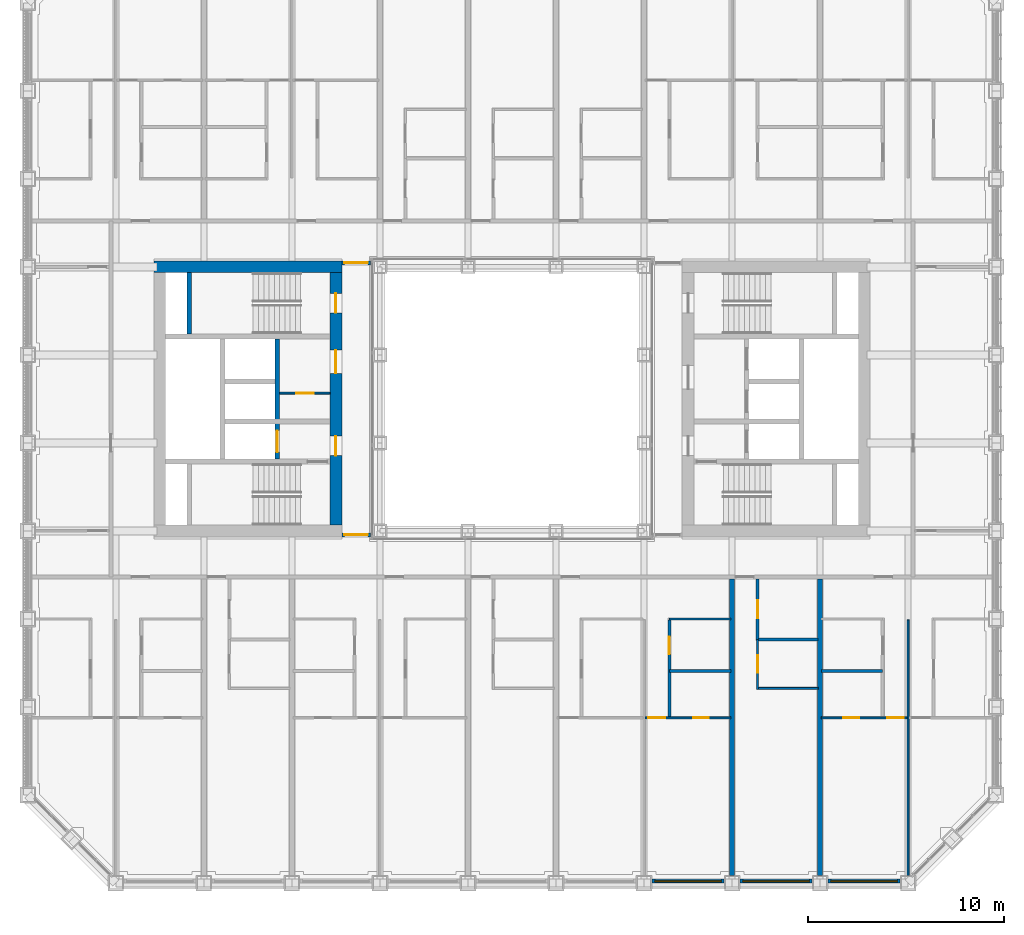
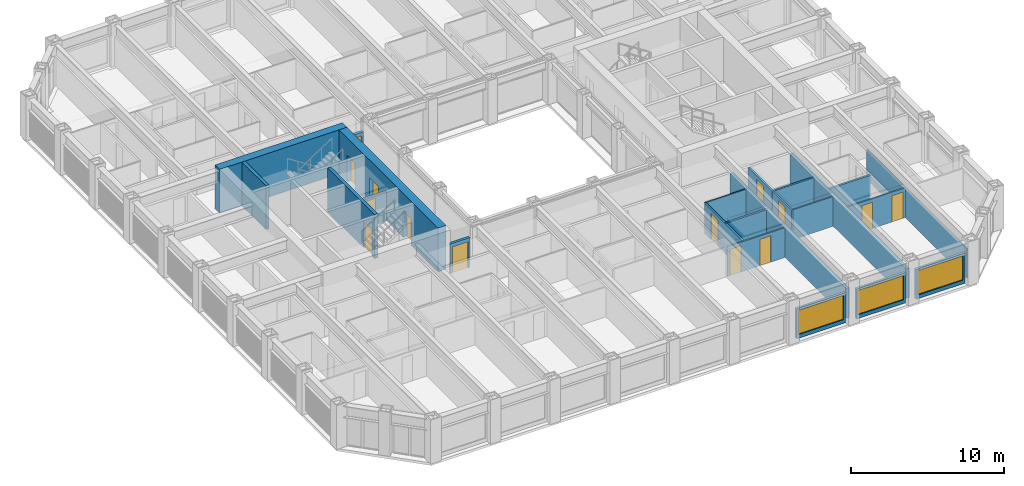
# One storey, part 11 of 21: 23 walls, 14 doors, 3 windows, 17 openings.
"""IFC4 building model written with IfcOpenShell, lengths in metres."""

import ifcopenshell
import ifcopenshell.guid

model = None  # the IFC model being written
_history = None  # IfcOwnerHistory: only IFC2X3 demands one
_inside = {}  # id of a spatial element -> (the spatial element, [elements in it])
_under = {}  # id of a project, library or spatial element -> (it, [spatial elements below it])
_declared = {}  # id of a project -> (the project, [libraries it declares])
_typed = {}  # id of a type object -> (the type object, [elements of that type])
_made_of = {}  # id of a material, layer set ... -> (it, [elements and type objects made of it])


def new_model(schema):
    """Start an empty IFC model of exactly this schema.

    Asked for "IFC4X3", IfcOpenShell would pick the latest addendum, in which some entities
    have other attributes; the version numbers below select the first issue.
    IFC2X3 requires an IfcOwnerHistory on every rooted entity: one is made here for all.
    """
    global model, _history
    if schema == "IFC4X3":
        model = ifcopenshell.file(schema_version=(4, 3, 0, 0))
    else:
        model = ifcopenshell.file(schema=schema)
    _inside.clear()
    _under.clear()
    _declared.clear()
    _typed.clear()
    _made_of.clear()
    _history = None
    if model.schema == "IFC2X3":
        org = make("IfcOrganization", Name="unknown")
        user = make(
            "IfcPersonAndOrganization",
            ThePerson=make("IfcPerson", FamilyName="unknown"),
            TheOrganization=org,
        )
        app = make(
            "IfcApplication",
            ApplicationDeveloper=org,
            Version="unknown",
            ApplicationFullName="unknown",
            ApplicationIdentifier="unknown",
        )
        _history = make(
            "IfcOwnerHistory",
            OwningUser=user,
            OwningApplication=app,
            ChangeAction="ADDED",
            CreationDate=0,
        )
    return model


def make(cls, **values):
    """One entity of the class cls with the attributes given. An attribute that is None is left unset."""
    return model.create_entity(
        cls, **{name: value for name, value in values.items() if value is not None}
    )


def rooted(cls, **values):
    """An entity with a GlobalId (a new one), such as an element, a storey or a relation."""
    return make(cls, GlobalId=ifcopenshell.guid.new(), OwnerHistory=_history, **values)


def si_unit(unit_type, name, prefix=None):
    """IfcSIUnit, for example si_unit("LENGTHUNIT", "METRE", prefix="MILLI")."""
    return make("IfcSIUnit", UnitType=unit_type, Prefix=prefix, Name=name)


def assignment(units):
    """IfcUnitAssignment: the units of a project."""
    return None if units is None else make("IfcUnitAssignment", Units=units)


def point(xyz):
    """IfcCartesianPoint."""
    return None if xyz is None else make("IfcCartesianPoint", Coordinates=xyz)


def direction(xyz):
    """IfcDirection."""
    return None if xyz is None else make("IfcDirection", DirectionRatios=xyz)


def frame(location, z_axis=None, x_axis=None):
    """IfcAxis2Placement3D, a coordinate frame: its origin and axes. An axis left out is left unset."""
    return make(
        "IfcAxis2Placement3D",
        Location=point(location),
        Axis=direction(z_axis),
        RefDirection=direction(x_axis),
    )


def frame_2d(location, x_axis=None):
    """IfcAxis2Placement2D, a coordinate frame in the plane: its origin and x axis."""
    return make(
        "IfcAxis2Placement2D", Location=point(location), RefDirection=direction(x_axis)
    )


def origin():
    """The frame at (0, 0, 0) with its axes left unset."""
    return frame((0.0, 0.0, 0.0))


def place(relative_to, where):
    """IfcLocalPlacement: puts the frame where relative to a parent placement (None: the world)."""
    return make(
        "IfcLocalPlacement", PlacementRelTo=relative_to, RelativePlacement=where
    )


def context(
    kind, dimensions, precision=None, world=None, true_north=None, identifier=None
):
    """IfcGeometricRepresentationContext, for example the 3D "Model" context."""
    return make(
        "IfcGeometricRepresentationContext",
        ContextIdentifier=identifier,
        ContextType=kind,
        CoordinateSpaceDimension=dimensions,
        Precision=precision,
        WorldCoordinateSystem=world,
        TrueNorth=true_north,
    )


def subcontext(parent, identifier, kind, view, scale=None):
    """IfcGeometricRepresentationSubContext, for example "Body" below "Model"."""
    return make(
        "IfcGeometricRepresentationSubContext",
        ContextIdentifier=identifier,
        ContextType=kind,
        ParentContext=parent,
        TargetScale=scale,
        TargetView=view,
    )


def project(units=None, contexts=None):
    """IfcProject with its units and contexts."""
    return rooted(
        "IfcProject",
        Name="project",
        RepresentationContexts=contexts,
        UnitsInContext=assignment(units),
    )


def spatial(cls, under=None, at=None, **own):
    """A site, building, storey or space (cls), placed at a placement, below another one or the project."""
    s = rooted(cls, ObjectPlacement=at, **own)
    if under is not None:
        _under.setdefault(under.id(), (under, []))[1].append(s)
    return s


def profile(cls, at=None, kind="AREA", **sizes):
    """A parametric profile (cls). Its sizes go by their IFC names, for example OverallWidth=200.0."""
    return make(cls, ProfileType=kind, Position=at, **sizes)


def rectangle(**sizes):
    """IfcRectangleProfileDef."""
    return profile("IfcRectangleProfileDef", **sizes)


def extrude(swept, where, along, depth):
    """IfcExtrudedAreaSolid: the profile swept, set in the frame where, extruded along a direction by depth."""
    return make(
        "IfcExtrudedAreaSolid",
        SweptArea=swept,
        Position=where,
        ExtrudedDirection=direction(along),
        Depth=depth,
    )


def shape(context_of_items, identifier, shape_type, items):
    """IfcShapeRepresentation: the items that make up one representation, for example the "Body"."""
    return make(
        "IfcShapeRepresentation",
        ContextOfItems=context_of_items,
        RepresentationIdentifier=identifier,
        RepresentationType=shape_type,
        Items=items,
    )


def material(Name=None, Category=None):
    """IfcMaterial."""
    return make("IfcMaterial", Name=Name, Category=Category)


def layer(
    of_material, thickness, ventilated=None, Name=None, Category=None, Priority=None
):
    """IfcMaterialLayer: one layer of a wall or slab, of a material (None: an air gap)."""
    return make(
        "IfcMaterialLayer",
        Material=of_material,
        LayerThickness=thickness,
        IsVentilated=ventilated,
        Name=Name,
        Category=Category,
        Priority=Priority,
    )


def layer_set(layers, Name=None):
    """IfcMaterialLayerSet."""
    return make("IfcMaterialLayerSet", MaterialLayers=layers, LayerSetName=Name)


def made_of(thing, what):
    """Note that an element or type object is made of a material, layer set ...; save() writes the relation."""
    if what is not None:
        _made_of.setdefault(what.id(), (what, []))[1].append(thing)
    return thing


def type_object(cls, material=None, **own):
    """A type object (cls), such as IfcWallType, which elements share."""
    return made_of(rooted(cls, **own), material)


def element(
    cls,
    number,
    at=None,
    inside=None,
    cuts=None,
    type_object=None,
    material=None,
    context=None,
    identifier="Body",
    shape_type=None,
    held_by="IfcProductDefinitionShape",
    body=None,
    shapes=None,
    **own,
):
    """One element of the class cls, such as IfcWall. Its Tag is "e" and its number.

    at: its placement. inside: the storey or other place that contains it. cuts: it is an
    opening in that element (IfcRelVoidsElement). A single representation is given by context,
    identifier, shape_type and body (its items); several are given by shapes. held_by: the class
    of the entity that holds the representations. save() writes the other relations.
    """
    e = rooted(cls, Tag="e%d" % number, ObjectPlacement=at, **own)
    if body is not None:
        shapes = [shape(context, identifier, shape_type, body)]
    if shapes is not None:
        e.Representation = make(held_by, Representations=shapes)
    if inside is not None:
        _inside.setdefault(inside.id(), (inside, []))[1].append(e)
    if cuts is not None:
        rooted(
            "IfcRelVoidsElement", RelatingBuildingElement=cuts, RelatedOpeningElement=e
        )
    if type_object is not None:
        _typed.setdefault(type_object.id(), (type_object, []))[1].append(e)
    return made_of(e, material)


def fill(opening, filler):
    """IfcRelFillsElement: the door or window that sits in an opening."""
    return rooted(
        "IfcRelFillsElement",
        RelatingOpeningElement=opening,
        RelatedBuildingElement=filler,
    )


def aggregate(whole, parts):
    """IfcRelAggregates: a whole, such as a stair, and the parts it consists of."""
    return rooted("IfcRelAggregates", RelatingObject=whole, RelatedObjects=parts)


def save(model, path):
    """Write the relations noted so far, then the file.

    IfcRelAggregates (storeys below a building ...), IfcRelContainedInSpatialStructure (elements
    in a storey), IfcRelDefinesByType, IfcRelAssociatesMaterial and IfcRelDeclares: one each for
    every whole, place, type object, material and project.
    """
    for whole, parts in _under.values():
        aggregate(whole, parts)
    for where, things in _inside.values():
        rooted(
            "IfcRelContainedInSpatialStructure",
            RelatedElements=things,
            RelatingStructure=where,
        )
    for kind, things in _typed.values():
        rooted("IfcRelDefinesByType", RelatedObjects=things, RelatingType=kind)
    for what, things in _made_of.values():
        rooted("IfcRelAssociatesMaterial", RelatedObjects=things, RelatingMaterial=what)
    for by, libraries in _declared.values():
        rooted("IfcRelDeclares", RelatingContext=by, RelatedDefinitions=libraries)
    model.write(path)


model = new_model("IFC4")

# Units and contexts
model_context = context("Model", 3, precision=1e-05, world=origin(), true_north=direction((0.0, 1.0)))
body_context = subcontext(model_context, "Body", "Model", "MODEL_VIEW")
ifc_project = project(units=[si_unit("LENGTHUNIT", "METRE"), si_unit("AREAUNIT", "SQUARE_METRE"), si_unit("VOLUMEUNIT", "CUBIC_METRE"), si_unit("PLANEANGLEUNIT", "RADIAN"), si_unit("MASSUNIT", "GRAM", prefix="KILO")], contexts=[model_context])

# Site, building, storey
site_placement = place(None, origin())
site = spatial("IfcSite", under=ifc_project, at=site_placement, CompositionType="ELEMENT")
building_placement = place(site_placement, origin())
building = spatial("IfcBuilding", under=site, at=building_placement, Name="Msasa Ring Tower", CompositionType="ELEMENT")
storey_placement = place(building_placement, frame((0.0, 0.0, 37.0)))
storey = spatial("IfcBuildingStorey", under=building, at=storey_placement, Name="L08", CompositionType="ELEMENT", Elevation=37.0)

# Wall
ifc_material_1 = material(Name="Concrete C60/75", Category="concrete")
ifc_layer_1 = layer(ifc_material_1, 0.60009765625)
ifc_layer_set_1 = layer_set([ifc_layer_1], Name="CW1 CORE WALL 600")
wall_type_1 = type_object("IfcWallType", Name="CW1 CORE WALL 600", PredefinedType="SHEAR", material=ifc_layer_set_1)
wall_1_placement = place(storey_placement, frame((-8.699951171875, 6.75, 0.0), z_axis=(0.0, 0.0, 1.0), x_axis=(-1.0, 0.0, 0.0)))
element("IfcWall", 1, at=wall_1_placement, inside=storey, type_object=wall_type_1, Name="W core wall N L08", PredefinedType="SHEAR", context=body_context, shape_type="SweptSolid", body=[
    extrude(rectangle(XDim=9.60009765625, YDim=0.60009765625, at=frame_2d((4.800048828125, 0.0))), origin(), (0.0, 0.0, 1.0), 3.5),
])

# Wall, openings, doors
wall_2_placement = place(storey_placement, frame((-9.0, -6.449951171875, 0.0), z_axis=(0.0, 0.0, 1.0), x_axis=(0.0, 1.0, 0.0)))
wall_2 = element("IfcWall", 2, at=wall_2_placement, inside=storey, type_object=wall_type_1, Name="W core wall W L08", PredefinedType="SHEAR", context=body_context, shape_type="SweptSolid", body=[
    extrude(rectangle(XDim=12.89990234375, YDim=0.60009765625, at=frame_2d((6.449951171875, 0.0))), origin(), (0.0, 0.0, 1.0), 3.5),
])
opening_1_placement = place(wall_2_placement, frame((3.550048828125, 0.0, 0.0)))
opening_1 = element("IfcOpeningElement", 3, at=opening_1_placement, cuts=wall_2, Name="Opening RB-045", PredefinedType="OPENING", context=body_context, shape_type="SweptSolid", body=[
    extrude(rectangle(XDim=1.0, YDim=2.10009765625, at=frame_2d((0.5, 1.050048828125))), frame((0.0, 0.31005859375, 0.0), z_axis=(0.0, -1.0, 0.0), x_axis=(1.0, 0.0, 0.0)), (0.0, 0.0, 1.0), 0.6201171875),
])
opening_2_placement = place(wall_2_placement, frame((7.75, 0.0, 0.0)))
opening_2 = element("IfcOpeningElement", 4, at=opening_2_placement, cuts=wall_2, Name="Opening RB-040", PredefinedType="OPENING", context=body_context, shape_type="SweptSolid", body=[
    extrude(rectangle(XDim=1.199951171875, YDim=2.10009765625, at=frame_2d((0.60009765625, 1.050048828125))), frame((0.0, 0.31005859375, 0.0), z_axis=(0.0, -1.0, 0.0), x_axis=(1.0, 0.0, 0.0)), (0.0, 0.0, 1.0), 0.6201171875),
])
opening_3_placement = place(wall_2_placement, frame((10.85009765625, 0.0, 0.0)))
opening_3 = element("IfcOpeningElement", 5, at=opening_3_placement, cuts=wall_2, Name="Opening RB-038", PredefinedType="OPENING", context=body_context, shape_type="SweptSolid", body=[
    extrude(rectangle(XDim=1.0, YDim=2.10009765625, at=frame_2d((0.5, 1.050048828125))), frame((0.0, 0.31005859375, 0.0), z_axis=(0.0, -1.0, 0.0), x_axis=(1.0, 0.0, 0.0)), (0.0, 0.0, 1.0), 0.6201171875),
])
ifc_material_2 = material(Name="Timber door leaf in a steel frame", Category="steel")
door_type_1 = type_object("IfcDoorType", Name="D26 WIDE SERVICE ROOM DOOR 1200x2100", OperationType="SINGLE_SWING_LEFT", PredefinedType="DOOR", material=ifc_material_2)
door_1_placement = place(opening_2_placement, origin())
door_1 = element("IfcDoor", 6, at=door_1_placement, inside=storey, type_object=door_type_1, Name="Door L08-WCR", OperationType="SINGLE_SWING_RIGHT", OverallHeight=2.10009765625, OverallWidth=1.199951171875, PredefinedType="DOOR", context=body_context, shape_type="SweptSolid", body=[
    extrude(rectangle(XDim=1.199951171875, YDim=2.10009765625, at=frame_2d((0.60009765625, 1.050048828125))), frame((0.0, 0.02490234375, 0.0), z_axis=(0.0, -1.0, 0.0), x_axis=(1.0, 0.0, 0.0)), (0.0, 0.0, 1.0), 0.050048828125),
])
fill(opening_2, door_1)
ifc_material_3 = material(Name="Timber door leaf in a steel frame", Category="steel")
door_type_2 = type_object("IfcDoorType", Name="D4 LOBBY DOOR 1000x2100", OperationType="SINGLE_SWING_LEFT", PredefinedType="DOOR", material=ifc_material_3)
door_2_placement = place(opening_1_placement, origin())
door_2 = element("IfcDoor", 7, at=door_2_placement, inside=storey, type_object=door_type_2, Name="Door L08-WFFL", OperationType="SINGLE_SWING_LEFT", OverallHeight=2.10009765625, OverallWidth=1.0, PredefinedType="DOOR", context=body_context, shape_type="SweptSolid", body=[
    extrude(rectangle(XDim=1.0, YDim=2.10009765625, at=frame_2d((0.5, 1.050048828125))), frame((0.0, 0.02490234375, 0.0), z_axis=(0.0, -1.0, 0.0), x_axis=(1.0, 0.0, 0.0)), (0.0, 0.0, 1.0), 0.050048828125),
])
fill(opening_1, door_2)
ifc_material_4 = material(Name="Timber door leaf in a steel frame", Category="steel")
door_type_3 = type_object("IfcDoorType", Name="D6 STAIR DOOR 1000x2100", OperationType="SINGLE_SWING_LEFT", PredefinedType="DOOR", material=ifc_material_4)
door_3_placement = place(opening_3_placement, origin())
door_3 = element("IfcDoor", 8, at=door_3_placement, inside=storey, type_object=door_type_3, Name="Door L08-WSTB", OperationType="SINGLE_SWING_RIGHT", OverallHeight=2.10009765625, OverallWidth=1.0, PredefinedType="DOOR", context=body_context, shape_type="SweptSolid", body=[
    extrude(rectangle(XDim=1.0, YDim=2.10009765625, at=frame_2d((0.5, 1.050048828125))), frame((0.0, 0.02490234375, 0.0), z_axis=(0.0, -1.0, 0.0), x_axis=(1.0, 0.0, 0.0)), (0.0, 0.0, 1.0), 0.050048828125),
])
fill(opening_3, door_3)

# Wall
ifc_material_5 = material(Name="Concrete C60/75", Category="concrete")
ifc_layer_2 = layer(ifc_material_5, 0.25)
ifc_layer_set_2 = layer_set([ifc_layer_2], Name="CW4 CORE INNER WALL 250")
wall_type_2 = type_object("IfcWallType", Name="CW4 CORE INNER WALL 250", PredefinedType="SHEAR", material=ifc_layer_set_2)
wall_3_placement = place(storey_placement, frame((-16.5, 3.324951171875, 0.0), z_axis=(0.0, 0.0, 1.0), x_axis=(0.0, 1.0, 0.0)))
element("IfcWall", 9, at=wall_3_placement, inside=storey, type_object=wall_type_2, Name="W core wall RISERB L08", PredefinedType="SHEAR", context=body_context, shape_type="SweptSolid", body=[
    extrude(rectangle(XDim=3.125, YDim=0.25, at=frame_2d((1.5625, 0.0))), origin(), (0.0, 0.0, 1.0), 3.5),
])

# Wall, opening, door
wall_4_placement = place(storey_placement, frame((-12.0, -3.074951171875, 0.0), z_axis=(0.0, 0.0, 1.0), x_axis=(0.0, 1.0, 0.0)))
wall_4 = element("IfcWall", 10, at=wall_4_placement, inside=storey, type_object=wall_type_2, Name="W core wall LOBBY L08", PredefinedType="SHEAR", context=body_context, shape_type="SweptSolid", body=[
    extrude(rectangle(XDim=6.14990234375, YDim=0.25, at=frame_2d((3.074951171875, 0.0))), origin(), (0.0, 0.0, 1.0), 3.5),
])
opening_4_placement = place(wall_4_placement, frame((0.35009765625, 0.0, 0.0)))
opening_4 = element("IfcOpeningElement", 11, at=opening_4_placement, cuts=wall_4, Name="Opening LD1", PredefinedType="OPENING", context=body_context, shape_type="SweptSolid", body=[
    extrude(rectangle(XDim=1.10009765625, YDim=2.10009765625, at=frame_2d((0.550048828125, 1.050048828125))), frame((0.0, 0.135009765625, 0.0), z_axis=(0.0, -1.0, 0.0), x_axis=(1.0, 0.0, 0.0)), (0.0, 0.0, 1.0), 0.27001953125),
])
ifc_material_6 = material(Name="Stainless steel lift landing door", Category="steel")
door_type_4 = type_object("IfcDoorType", Name="LD1 LIFT LANDING DOOR 1100x2100", OperationType="DOUBLE_DOOR_SLIDING", PredefinedType="DOOR", material=ifc_material_6)
door_4_placement = place(opening_4_placement, origin())
door_4 = element("IfcDoor", 12, at=door_4_placement, inside=storey, type_object=door_type_4, Name="Lift landing door FL-W L08", OperationType="DOUBLE_DOOR_SLIDING", OverallHeight=2.10009765625, OverallWidth=1.10009765625, PredefinedType="DOOR", context=body_context, shape_type="SweptSolid", body=[
    extrude(rectangle(XDim=1.10009765625, YDim=2.10009765625, at=frame_2d((0.550048828125, 1.050048828125))), frame((0.0, 0.02490234375, 0.0), z_axis=(0.0, -1.0, 0.0), x_axis=(1.0, 0.0, 0.0)), (0.0, 0.0, 1.0), 0.050048828125),
])
fill(opening_4, door_4)

# Wall, opening, window
ifc_material_7 = material(Name="Terracotta rainscreen on blockwork", Category="masonry")
ifc_layer_3 = layer(ifc_material_7, 0.199951171875)
ifc_layer_set_3 = layer_set([ifc_layer_3], Name="FW1 TERRACOTTA-LINED INFILL BAY WALL 200")
wall_type_3 = type_object("IfcWallType", Name="FW1 TERRACOTTA-LINED INFILL BAY WALL 200", PredefinedType="SOLIDWALL", material=ifc_layer_set_3)
wall_5_placement = place(storey_placement, frame((7.155029296875, -24.64990234375, 0.0), z_axis=(0.0, 0.0, 1.0), x_axis=(1.0, 0.0, 0.0)))
wall_5 = element("IfcWall", 13, at=wall_5_placement, inside=storey, type_object=wall_type_3, Name="Infill bay wall S L08 06", PredefinedType="SOLIDWALL", context=body_context, shape_type="SweptSolid", body=[
    extrude(rectangle(XDim=3.68994140625, YDim=0.199951171875, at=frame_2d((1.844970703125, 0.0))), origin(), (0.0, 0.0, 1.0), 2.37890625),
])
opening_5_placement = place(wall_5_placement, frame((0.14501953125, 0.0, 0.300048828125)))
opening_5 = element("IfcOpeningElement", 14, at=opening_5_placement, cuts=wall_5, Name="Opening WN1", PredefinedType="OPENING", context=body_context, shape_type="SweptSolid", body=[
    extrude(rectangle(XDim=3.39990234375, YDim=1.928955078125, at=frame_2d((1.699951171875, 0.96435546875))), frame((0.0, 0.10986328125, 0.0), z_axis=(0.0, -1.0, 0.0), x_axis=(1.0, 0.0, 0.0)), (0.0, 0.0, 1.0), 0.219970703125),
])
ifc_material_8 = material(Name="Aluminium frame with clear glass", Category="aluminium")
window_type = type_object("IfcWindowType", Name="WN1 RESIDENCE WINDOW 3400x1929", PartitioningType="SINGLE_PANEL", PredefinedType="WINDOW", material=ifc_material_8)
window_1_placement = place(opening_5_placement, origin())
window_1 = element("IfcWindow", 15, at=window_1_placement, inside=storey, type_object=window_type, Name="Window S L08 06", OverallHeight=1.928955078125, OverallWidth=3.39990234375, PartitioningType="SINGLE_PANEL", PredefinedType="WINDOW", context=body_context, shape_type="SweptSolid", body=[
    extrude(rectangle(XDim=3.39990234375, YDim=1.928955078125, at=frame_2d((1.699951171875, 0.96435546875))), frame((0.0, 0.030029296875, 0.0), z_axis=(0.0, -1.0, 0.0), x_axis=(1.0, 0.0, 0.0)), (0.0, 0.0, 1.0), 0.06005859375),
])
fill(opening_5, window_1)

wall_6_placement = place(storey_placement, frame((11.655029296875, -24.64990234375, 0.0), z_axis=(0.0, 0.0, 1.0), x_axis=(1.0, 0.0, 0.0)))
wall_6 = element("IfcWall", 16, at=wall_6_placement, inside=storey, type_object=wall_type_3, Name="Infill bay wall S L08 07", PredefinedType="SOLIDWALL", context=body_context, shape_type="SweptSolid", body=[
    extrude(rectangle(XDim=3.68994140625, YDim=0.199951171875, at=frame_2d((1.844970703125, 0.0))), origin(), (0.0, 0.0, 1.0), 2.37890625),
])
opening_6_placement = place(wall_6_placement, frame((0.14501953125, 0.0, 0.300048828125)))
opening_6 = element("IfcOpeningElement", 17, at=opening_6_placement, cuts=wall_6, Name="Opening WN1", PredefinedType="OPENING", context=body_context, shape_type="SweptSolid", body=[
    extrude(rectangle(XDim=3.39990234375, YDim=1.928955078125, at=frame_2d((1.699951171875, 0.96435546875))), frame((0.0, 0.10986328125, 0.0), z_axis=(0.0, -1.0, 0.0), x_axis=(1.0, 0.0, 0.0)), (0.0, 0.0, 1.0), 0.219970703125),
])
window_2_placement = place(opening_6_placement, origin())
window_2 = element("IfcWindow", 18, at=window_2_placement, inside=storey, type_object=window_type, Name="Window S L08 07", OverallHeight=1.928955078125, OverallWidth=3.39990234375, PartitioningType="SINGLE_PANEL", PredefinedType="WINDOW", context=body_context, shape_type="SweptSolid", body=[
    extrude(rectangle(XDim=3.39990234375, YDim=1.928955078125, at=frame_2d((1.699951171875, 0.96435546875))), frame((0.0, 0.030029296875, 0.0), z_axis=(0.0, -1.0, 0.0), x_axis=(1.0, 0.0, 0.0)), (0.0, 0.0, 1.0), 0.06005859375),
])
fill(opening_6, window_2)

wall_7_placement = place(storey_placement, frame((16.155029296875, -24.64990234375, 0.0), z_axis=(0.0, 0.0, 1.0), x_axis=(1.0, 0.0, 0.0)))
wall_7 = element("IfcWall", 19, at=wall_7_placement, inside=storey, type_object=wall_type_3, Name="Infill bay wall S L08 08", PredefinedType="SOLIDWALL", context=body_context, shape_type="SweptSolid", body=[
    extrude(rectangle(XDim=3.68994140625, YDim=0.199951171875, at=frame_2d((1.844970703125, 0.0))), origin(), (0.0, 0.0, 1.0), 2.37890625),
])
opening_7_placement = place(wall_7_placement, frame((0.14501953125, 0.0, 0.300048828125)))
opening_7 = element("IfcOpeningElement", 20, at=opening_7_placement, cuts=wall_7, Name="Opening WN1", PredefinedType="OPENING", context=body_context, shape_type="SweptSolid", body=[
    extrude(rectangle(XDim=3.39990234375, YDim=1.928955078125, at=frame_2d((1.699951171875, 0.96435546875))), frame((0.0, 0.10986328125, 0.0), z_axis=(0.0, -1.0, 0.0), x_axis=(1.0, 0.0, 0.0)), (0.0, 0.0, 1.0), 0.219970703125),
])
window_3_placement = place(opening_7_placement, origin())
window_3 = element("IfcWindow", 21, at=window_3_placement, inside=storey, type_object=window_type, Name="Window S L08 08", OverallHeight=1.928955078125, OverallWidth=3.39990234375, PartitioningType="SINGLE_PANEL", PredefinedType="WINDOW", context=body_context, shape_type="SweptSolid", body=[
    extrude(rectangle(XDim=3.39990234375, YDim=1.928955078125, at=frame_2d((1.699951171875, 0.96435546875))), frame((0.0, 0.030029296875, 0.0), z_axis=(0.0, -1.0, 0.0), x_axis=(1.0, 0.0, 0.0)), (0.0, 0.0, 1.0), 0.06005859375),
])
fill(opening_7, window_3)

# Wall, opening, door
ifc_material_9 = material(Name="Concrete blockwork", Category="masonry")
ifc_layer_4 = layer(ifc_material_9, 0.199951171875)
ifc_layer_set_4 = layer_set([ifc_layer_4], Name="PT1 CORRIDOR WALL 200")
wall_type_4 = type_object("IfcWallType", Name="PT1 CORRIDOR WALL 200", PredefinedType="PARTITIONING", material=ifc_layer_set_4)
wall_8_placement = place(storey_placement, frame((-8.699951171875, 6.949951171875, 0.0), z_axis=(0.0, 0.0, 1.0), x_axis=(1.0, 0.0, 0.0)))
wall_8 = element("IfcWall", 22, at=wall_8_placement, inside=storey, type_object=wall_type_4, Name="Corridor wall L08-SDWN", PredefinedType="PARTITIONING", context=body_context, shape_type="SweptSolid", body=[
    extrude(rectangle(XDim=1.469970703125, YDim=0.199951171875, at=frame_2d((0.73486328125, 0.0))), origin(), (0.0, 0.0, 1.0), 2.373291015625),
])
opening_8_placement = place(wall_8_placement, frame((0.135009765625, 0.0, 0.0)))
opening_8 = element("IfcOpeningElement", 23, at=opening_8_placement, cuts=wall_8, Name="Opening RB-034", PredefinedType="OPENING", context=body_context, shape_type="SweptSolid", body=[
    extrude(rectangle(XDim=1.199951171875, YDim=2.10009765625, at=frame_2d((0.60009765625, 1.050048828125))), frame((0.0, 0.10986328125, 0.0), z_axis=(0.0, -1.0, 0.0), x_axis=(1.0, 0.0, 0.0)), (0.0, 0.0, 1.0), 0.219970703125),
])
ifc_material_10 = material(Name="Timber door leaf in a steel frame", Category="steel")
door_type_5 = type_object("IfcDoorType", Name="D25 CORRIDOR PAIR OF SMOKE DOORS 1200x2100", OperationType="DOUBLE_DOOR_DOUBLE_SWING", PredefinedType="DOOR", material=ifc_material_10)
door_5_placement = place(opening_8_placement, origin())
door_5 = element("IfcDoor", 24, at=door_5_placement, inside=storey, type_object=door_type_5, Name="Door L08-SDWN", OperationType="DOUBLE_DOOR_DOUBLE_SWING", OverallHeight=2.10009765625, OverallWidth=1.199951171875, PredefinedType="DOOR", context=body_context, shape_type="SweptSolid", body=[
    extrude(rectangle(XDim=1.199951171875, YDim=2.10009765625, at=frame_2d((0.60009765625, 1.050048828125))), frame((0.0, 0.02490234375, 0.0), z_axis=(0.0, -1.0, 0.0), x_axis=(1.0, 0.0, 0.0)), (0.0, 0.0, 1.0), 0.050048828125),
])
fill(opening_8, door_5)

wall_9_placement = place(storey_placement, frame((-8.699951171875, -6.949951171875, 0.0), z_axis=(0.0, 0.0, 1.0), x_axis=(1.0, 0.0, 0.0)))
wall_9 = element("IfcWall", 25, at=wall_9_placement, inside=storey, type_object=wall_type_4, Name="Corridor wall L08-SDWS", PredefinedType="PARTITIONING", context=body_context, shape_type="SweptSolid", body=[
    extrude(rectangle(XDim=1.469970703125, YDim=0.199951171875, at=frame_2d((0.73486328125, 0.0))), origin(), (0.0, 0.0, 1.0), 2.373291015625),
])
opening_9_placement = place(wall_9_placement, frame((0.135009765625, 0.0, 0.0)))
opening_9 = element("IfcOpeningElement", 26, at=opening_9_placement, cuts=wall_9, Name="Opening RB-051", PredefinedType="OPENING", context=body_context, shape_type="SweptSolid", body=[
    extrude(rectangle(XDim=1.199951171875, YDim=2.10009765625, at=frame_2d((0.60009765625, 1.050048828125))), frame((0.0, 0.10986328125, 0.0), z_axis=(0.0, -1.0, 0.0), x_axis=(1.0, 0.0, 0.0)), (0.0, 0.0, 1.0), 0.219970703125),
])
door_6_placement = place(opening_9_placement, origin())
door_6 = element("IfcDoor", 27, at=door_6_placement, inside=storey, type_object=door_type_5, Name="Door L08-SDWS", OperationType="DOUBLE_DOOR_DOUBLE_SWING", OverallHeight=2.10009765625, OverallWidth=1.199951171875, PredefinedType="DOOR", context=body_context, shape_type="SweptSolid", body=[
    extrude(rectangle(XDim=1.199951171875, YDim=2.10009765625, at=frame_2d((0.60009765625, 1.050048828125))), frame((0.0, 0.02490234375, 0.0), z_axis=(0.0, -1.0, 0.0), x_axis=(1.0, 0.0, 0.0)), (0.0, 0.0, 1.0), 0.050048828125),
])
fill(opening_9, door_6)

# Wall
ifc_material_11 = material(Name="Gypsum board on steel studs", Category="steel")
ifc_layer_5 = layer(ifc_material_11, 0.10009765625)
ifc_layer_set_5 = layer_set([ifc_layer_5], Name="PT2 STUD PARTITION 100")
wall_type_5 = type_object("IfcWallType", Name="PT2 STUD PARTITION 100", PredefinedType="PARTITIONING", material=ifc_layer_set_5)
wall_10_placement = place(storey_placement, frame((8.050048828125, -11.25, 0.0), z_axis=(0.0, 0.0, 1.0), x_axis=(1.0, 0.0, 0.0)))
element("IfcWall", 28, at=wall_10_placement, inside=storey, type_object=wall_type_5, Name="Partition L08-US04HY1", PredefinedType="PARTITIONING", context=body_context, shape_type="SweptSolid", body=[
    extrude(rectangle(XDim=3.139892578125, YDim=0.10009765625, at=frame_2d((1.56982421875, 0.0))), origin(), (0.0, 0.0, 1.0), 2.373291015625),
])

# Wall, openings, doors
wall_11_placement = place(storey_placement, frame((6.800048828125, -16.300048828125, 0.0), z_axis=(0.0, 0.0, 1.0), x_axis=(1.0, 0.0, 0.0)))
wall_11 = element("IfcWall", 29, at=wall_11_placement, inside=storey, type_object=wall_type_5, Name="Partition L08-US04SY1", PredefinedType="PARTITIONING", context=body_context, shape_type="SweptSolid", body=[
    extrude(rectangle(XDim=4.389892578125, YDim=0.10009765625, at=frame_2d((2.19482421875, 0.0))), origin(), (0.0, 0.0, 1.0), 2.373291015625),
])
opening_10_placement = place(wall_11_placement, frame((0.175048828125, 0.0, 0.0)))
opening_10 = element("IfcOpeningElement", 30, at=opening_10_placement, cuts=wall_11, Name="Opening RB-081", PredefinedType="OPENING", context=body_context, shape_type="SweptSolid", body=[
    extrude(rectangle(XDim=0.85009765625, YDim=2.10009765625, at=frame_2d((0.425048828125, 1.050048828125))), frame((0.0, 0.06005859375, 0.0), z_axis=(0.0, -1.0, 0.0), x_axis=(1.0, 0.0, 0.0)), (0.0, 0.0, 1.0), 0.1201171875),
])
opening_11_placement = place(wall_11_placement, frame((2.4599609375, 0.0, 0.0)))
opening_11 = element("IfcOpeningElement", 31, at=opening_11_placement, cuts=wall_11, Name="Opening RB-082", PredefinedType="OPENING", context=body_context, shape_type="SweptSolid", body=[
    extrude(rectangle(XDim=0.800048828125, YDim=2.10009765625, at=frame_2d((0.39990234375, 1.050048828125))), frame((0.0, 0.06005859375, 0.0), z_axis=(0.0, -1.0, 0.0), x_axis=(1.0, 0.0, 0.0)), (0.0, 0.0, 1.0), 0.1201171875),
])
ifc_material_12 = material(Name="Timber door leaf in a steel frame", Category="steel")
door_type_6 = type_object("IfcDoorType", Name="D14 BEDROOM DOOR 850x2100", OperationType="SINGLE_SWING_LEFT", PredefinedType="DOOR", material=ifc_material_12)
door_7_placement = place(opening_10_placement, origin())
door_7 = element("IfcDoor", 32, at=door_7_placement, inside=storey, type_object=door_type_6, Name="Door L08-US04R1", OperationType="SINGLE_SWING_LEFT", OverallHeight=2.10009765625, OverallWidth=0.85009765625, PredefinedType="DOOR", context=body_context, shape_type="SweptSolid", body=[
    extrude(rectangle(XDim=0.85009765625, YDim=2.10009765625, at=frame_2d((0.425048828125, 1.050048828125))), frame((0.0, 0.02490234375, 0.0), z_axis=(0.0, -1.0, 0.0), x_axis=(1.0, 0.0, 0.0)), (0.0, 0.0, 1.0), 0.050048828125),
])
fill(opening_10, door_7)
ifc_material_13 = material(Name="Timber door leaf in a steel frame", Category="steel")
door_type_7 = type_object("IfcDoorType", Name="D60 DRESSING ROOM DOOR 800x2100", OperationType="SINGLE_SWING_LEFT", PredefinedType="DOOR", material=ifc_material_13)
door_8_placement = place(opening_11_placement, origin())
door_8 = element("IfcDoor", 33, at=door_8_placement, inside=storey, type_object=door_type_7, Name="Door L08-US04W1", OperationType="SINGLE_SWING_RIGHT", OverallHeight=2.10009765625, OverallWidth=0.800048828125, PredefinedType="DOOR", context=body_context, shape_type="SweptSolid", body=[
    extrude(rectangle(XDim=0.800048828125, YDim=2.10009765625, at=frame_2d((0.39990234375, 1.050048828125))), frame((0.0, 0.02490234375, 0.0), z_axis=(0.0, -1.0, 0.0), x_axis=(1.0, 0.0, 0.0)), (0.0, 0.0, 1.0), 0.050048828125),
])
fill(opening_11, door_8)

# Wall
wall_12_placement = place(storey_placement, frame((12.60009765625, -14.800048828125, 0.0), z_axis=(0.0, 0.0, 1.0), x_axis=(1.0, 0.0, 0.0)))
element("IfcWall", 34, at=wall_12_placement, inside=storey, type_object=wall_type_5, Name="Partition L08-US05KY", PredefinedType="PARTITIONING", context=body_context, shape_type="SweptSolid", body=[
    extrude(rectangle(XDim=3.0498046875, YDim=0.10009765625, at=frame_2d((1.52490234375, 0.0))), origin(), (0.0, 0.0, 1.0), 2.373291015625),
])

# Wall, opening, door
wall_13_placement = place(storey_placement, frame((12.550048828125, -14.85009765625, 0.0), z_axis=(0.0, 0.0, 1.0), x_axis=(0.0, 1.0, 0.0)))
wall_13 = element("IfcWall", 35, at=wall_13_placement, inside=storey, type_object=wall_type_5, Name="Partition L08-US05KX", PredefinedType="PARTITIONING", context=body_context, shape_type="SweptSolid", body=[
    extrude(rectangle(XDim=2.550048828125, YDim=0.10009765625, at=frame_2d((1.27490234375, 0.0))), origin(), (0.0, 0.0, 1.0), 2.373291015625),
])
opening_12_placement = place(wall_13_placement, frame((0.840087890625, 0.0, 0.0)))
opening_12 = element("IfcOpeningElement", 36, at=opening_12_placement, cuts=wall_13, Name="Opening RB-069", PredefinedType="OPENING", context=body_context, shape_type="SweptSolid", body=[
    extrude(rectangle(XDim=0.89990234375, YDim=2.10009765625, at=frame_2d((0.449951171875, 1.050048828125))), frame((0.0, 0.06005859375, 0.0), z_axis=(0.0, -1.0, 0.0), x_axis=(1.0, 0.0, 0.0)), (0.0, 0.0, 1.0), 0.1201171875),
])
ifc_material_14 = material(Name="Timber door leaf in a steel frame", Category="steel")
door_type_8 = type_object("IfcDoorType", Name="D22 INTERNAL HALL DOOR 900x2100", OperationType="SINGLE_SWING_LEFT", PredefinedType="DOOR", material=ifc_material_14)
door_9_placement = place(opening_12_placement, origin())
door_9 = element("IfcDoor", 37, at=door_9_placement, inside=storey, type_object=door_type_8, Name="Door L08-US05K", OperationType="SINGLE_SWING_LEFT", OverallHeight=2.10009765625, OverallWidth=0.89990234375, PredefinedType="DOOR", context=body_context, shape_type="SweptSolid", body=[
    extrude(rectangle(XDim=0.89990234375, YDim=2.10009765625, at=frame_2d((0.449951171875, 1.050048828125))), frame((0.0, 0.02490234375, 0.0), z_axis=(0.0, -1.0, 0.0), x_axis=(1.0, 0.0, 0.0)), (0.0, 0.0, 1.0), 0.050048828125),
])
fill(opening_12, door_9)

# Wall
wall_14_placement = place(storey_placement, frame((20.25, -24.35009765625, 0.0), z_axis=(0.0, 0.0, 1.0), x_axis=(0.0, 1.0, 0.0)))
element("IfcWall", 38, at=wall_14_placement, inside=storey, type_object=wall_type_5, Name="Partition L08-US06P1", PredefinedType="PARTITIONING", context=body_context, shape_type="SweptSolid", body=[
    extrude(rectangle(XDim=13.050048828125, YDim=0.10009765625, at=frame_2d((6.52490234375, 0.0))), origin(), (0.0, 0.0, 1.0), 2.373291015625),
])

# Wall, openings, doors
wall_15_placement = place(storey_placement, frame((15.81005859375, -16.300048828125, 0.0), z_axis=(0.0, 0.0, 1.0), x_axis=(1.0, 0.0, 0.0)))
wall_15 = element("IfcWall", 39, at=wall_15_placement, inside=storey, type_object=wall_type_5, Name="Partition L08-US06SY1", PredefinedType="PARTITIONING", context=body_context, shape_type="SweptSolid", body=[
    extrude(rectangle(XDim=4.389892578125, YDim=0.10009765625, at=frame_2d((2.19482421875, 0.0))), origin(), (0.0, 0.0, 1.0), 2.373291015625),
])
opening_13_placement = place(wall_15_placement, frame((3.364990234375, 0.0, 0.0)))
opening_13 = element("IfcOpeningElement", 40, at=opening_13_placement, cuts=wall_15, Name="Opening RB-084", PredefinedType="OPENING", context=body_context, shape_type="SweptSolid", body=[
    extrude(rectangle(XDim=0.85009765625, YDim=2.10009765625, at=frame_2d((0.425048828125, 1.050048828125))), frame((0.0, 0.06005859375, 0.0), z_axis=(0.0, -1.0, 0.0), x_axis=(1.0, 0.0, 0.0)), (0.0, 0.0, 1.0), 0.1201171875),
])
opening_14_placement = place(wall_15_placement, frame((1.1298828125, 0.0, 0.0)))
opening_14 = element("IfcOpeningElement", 41, at=opening_14_placement, cuts=wall_15, Name="Opening RB-083", PredefinedType="OPENING", context=body_context, shape_type="SweptSolid", body=[
    extrude(rectangle(XDim=0.800048828125, YDim=2.10009765625, at=frame_2d((0.39990234375, 1.050048828125))), frame((0.0, 0.06005859375, 0.0), z_axis=(0.0, -1.0, 0.0), x_axis=(1.0, 0.0, 0.0)), (0.0, 0.0, 1.0), 0.1201171875),
])
door_10_placement = place(opening_13_placement, origin())
door_10 = element("IfcDoor", 42, at=door_10_placement, inside=storey, type_object=door_type_6, Name="Door L08-US06R1", OperationType="SINGLE_SWING_RIGHT", OverallHeight=2.10009765625, OverallWidth=0.85009765625, PredefinedType="DOOR", context=body_context, shape_type="SweptSolid", body=[
    extrude(rectangle(XDim=0.85009765625, YDim=2.10009765625, at=frame_2d((0.425048828125, 1.050048828125))), frame((0.0, 0.02490234375, 0.0), z_axis=(0.0, -1.0, 0.0), x_axis=(1.0, 0.0, 0.0)), (0.0, 0.0, 1.0), 0.050048828125),
])
fill(opening_13, door_10)
door_11_placement = place(opening_14_placement, origin())
door_11 = element("IfcDoor", 43, at=door_11_placement, inside=storey, type_object=door_type_7, Name="Door L08-US06W1", OperationType="SINGLE_SWING_LEFT", OverallHeight=2.10009765625, OverallWidth=0.800048828125, PredefinedType="DOOR", context=body_context, shape_type="SweptSolid", body=[
    extrude(rectangle(XDim=0.800048828125, YDim=2.10009765625, at=frame_2d((0.39990234375, 1.050048828125))), frame((0.0, 0.02490234375, 0.0), z_axis=(0.0, -1.0, 0.0), x_axis=(1.0, 0.0, 0.0)), (0.0, 0.0, 1.0), 0.050048828125),
])
fill(opening_14, door_11)

# Wall, opening, door
wall_16_placement = place(storey_placement, frame((-11.875, 0.300048828125, 0.0), z_axis=(0.0, 0.0, 1.0), x_axis=(1.0, 0.0, 0.0)))
wall_16 = element("IfcWall", 44, at=wall_16_placement, inside=storey, type_object=wall_type_5, Name="Partition L08-WCP", PredefinedType="PARTITIONING", context=body_context, shape_type="SweptSolid", body=[
    extrude(rectangle(XDim=2.574951171875, YDim=0.10009765625, at=frame_2d((1.28759765625, 0.0))), origin(), (0.0, 0.0, 1.0), 2.373291015625),
])
opening_15_placement = place(wall_16_placement, frame((0.83740234375, 0.0, 0.0)))
opening_15 = element("IfcOpeningElement", 45, at=opening_15_placement, cuts=wall_16, Name="Opening RB-042", PredefinedType="OPENING", context=body_context, shape_type="SweptSolid", body=[
    extrude(rectangle(XDim=0.89990234375, YDim=2.10009765625, at=frame_2d((0.449951171875, 1.050048828125))), frame((0.0, 0.06005859375, 0.0), z_axis=(0.0, -1.0, 0.0), x_axis=(1.0, 0.0, 0.0)), (0.0, 0.0, 1.0), 0.1201171875),
])
door_12_placement = place(opening_15_placement, origin())
door_12 = element("IfcDoor", 46, at=door_12_placement, inside=storey, type_object=door_type_8, Name="Door L08-WCP", OperationType="SINGLE_SWING_LEFT", OverallHeight=2.10009765625, OverallWidth=0.89990234375, PredefinedType="DOOR", context=body_context, shape_type="SweptSolid", body=[
    extrude(rectangle(XDim=0.89990234375, YDim=2.10009765625, at=frame_2d((0.449951171875, 1.050048828125))), frame((0.0, 0.02490234375, 0.0), z_axis=(0.0, -1.0, 0.0), x_axis=(1.0, 0.0, 0.0)), (0.0, 0.0, 1.0), 0.050048828125),
])
fill(opening_15, door_12)

# Walls
ifc_material_15 = material(Name="Dense concrete blockwork, plastered both faces", Category="masonry")
ifc_layer_6 = layer(ifc_material_15, 0.25)
ifc_layer_set_6 = layer_set([ifc_layer_6], Name="PT3 APARTMENT SEPARATING WALL 250")
wall_type_6 = type_object("IfcWallType", Name="PT3 APARTMENT SEPARATING WALL 250", PredefinedType="PARTITIONING", material=ifc_layer_set_6)
for number, where, z_axis, x_axis, name in (
    (47, (11.25, -24.35009765625, 0.0), (0.0, 0.0, 1.0), (0.0, 1.0, 0.0), "Party wall L08-PWS+11.25"),
    (48, (15.75, -24.35009765625, 0.0), (0.0, 0.0, 1.0), (0.0, 1.0, 0.0), "Party wall L08-PWS+15.75"),
):
    element("IfcWall", number, at=place(storey_placement, frame(where, z_axis=z_axis, x_axis=x_axis)), inside=storey, type_object=wall_type_6, Name=name, PredefinedType="PARTITIONING", context=body_context, shape_type="SweptSolid", body=[
        extrude(rectangle(XDim=15.150146484375, YDim=0.25, at=frame_2d((7.5751953125, 0.0))), origin(), (0.0, 0.0, 1.0), 2.373291015625),
    ])

# Wall, opening, door
ifc_material_16 = material(Name="Moisture-resistant board on steel studs with a concealed cistern and pipe void, tiled", Category="steel")
ifc_layer_7 = layer(ifc_material_16, 0.14990234375)
ifc_layer_set_7 = layer_set([ifc_layer_7], Name="PT4 BATHROOM WET WALL 150")
wall_type_7 = type_object("IfcWallType", Name="PT4 BATHROOM WET WALL 150", PredefinedType="PARTITIONING", material=ifc_layer_set_7)
wall_17_placement = place(storey_placement, frame((8.050048828125, -16.300048828125, 0.0), z_axis=(0.0, 0.0, 1.0), x_axis=(0.0, 1.0, 0.0)))
wall_17 = element("IfcWall", 49, at=wall_17_placement, inside=storey, type_object=wall_type_7, Name="Partition L08-US04SX1", PredefinedType="PARTITIONING", context=body_context, shape_type="SweptSolid", body=[
    extrude(rectangle(XDim=5.0, YDim=0.14990234375, at=frame_2d((2.5, 0.0))), origin(), (0.0, 0.0, 1.0), 2.373291015625),
])
opening_16_placement = place(wall_17_placement, frame((3.25, 0.0, 0.0)))
opening_16 = element("IfcOpeningElement", 50, at=opening_16_placement, cuts=wall_17, Name="Opening RB-065", PredefinedType="OPENING", context=body_context, shape_type="SweptSolid", body=[
    extrude(rectangle(XDim=0.89990234375, YDim=2.10009765625, at=frame_2d((0.449951171875, 1.050048828125))), frame((0.0, 0.0849609375, 0.0), z_axis=(0.0, -1.0, 0.0), x_axis=(1.0, 0.0, 0.0)), (0.0, 0.0, 1.0), 0.169921875),
])
ifc_material_17 = material(Name="Timber door leaf in a steel frame", Category="steel")
door_type_9 = type_object("IfcDoorType", Name="D3 BATHROOM DOOR 900x2100", OperationType="SINGLE_SWING_LEFT", PredefinedType="DOOR", material=ifc_material_17)
door_13_placement = place(opening_16_placement, origin())
door_13 = element("IfcDoor", 51, at=door_13_placement, inside=storey, type_object=door_type_9, Name="Door L08-US04B1", OperationType="SINGLE_SWING_RIGHT", OverallHeight=2.10009765625, OverallWidth=0.89990234375, PredefinedType="DOOR", context=body_context, shape_type="SweptSolid", body=[
    extrude(rectangle(XDim=0.89990234375, YDim=2.10009765625, at=frame_2d((0.449951171875, 1.050048828125))), frame((0.0, 0.02490234375, 0.0), z_axis=(0.0, -1.0, 0.0), x_axis=(1.0, 0.0, 0.0)), (0.0, 0.0, 1.0), 0.050048828125),
])
fill(opening_16, door_13)

# Wall
wall_18_placement = place(storey_placement, frame((8.050048828125, -13.89990234375, 0.0), z_axis=(0.0, 0.0, 1.0), x_axis=(1.0, 0.0, 0.0)))
element("IfcWall", 52, at=wall_18_placement, inside=storey, type_object=wall_type_7, Name="Partition L08-US04SB1", PredefinedType="PARTITIONING", context=body_context, shape_type="SweptSolid", body=[
    extrude(rectangle(XDim=3.139892578125, YDim=0.14990234375, at=frame_2d((1.56982421875, 0.0))), origin(), (0.0, 0.0, 1.0), 2.373291015625),
])

# Wall, opening, door
wall_19_placement = place(storey_placement, frame((12.550048828125, -12.35009765625, 0.0), z_axis=(0.0, 0.0, 1.0), x_axis=(0.0, 1.0, 0.0)))
wall_19 = element("IfcWall", 53, at=wall_19_placement, inside=storey, type_object=wall_type_7, Name="Partition L08-US05BX", PredefinedType="PARTITIONING", context=body_context, shape_type="SweptSolid", body=[
    extrude(rectangle(XDim=3.150146484375, YDim=0.14990234375, at=frame_2d((1.5751953125, 0.0))), origin(), (0.0, 0.0, 1.0), 2.373291015625),
])
opening_17_placement = place(wall_19_placement, frame((1.14990234375, 0.0, 0.0)))
opening_17 = element("IfcOpeningElement", 54, at=opening_17_placement, cuts=wall_19, Name="Opening RB-062", PredefinedType="OPENING", context=body_context, shape_type="SweptSolid", body=[
    extrude(rectangle(XDim=0.89990234375, YDim=2.10009765625, at=frame_2d((0.449951171875, 1.050048828125))), frame((0.0, 0.0849609375, 0.0), z_axis=(0.0, -1.0, 0.0), x_axis=(1.0, 0.0, 0.0)), (0.0, 0.0, 1.0), 0.169921875),
])
door_14_placement = place(opening_17_placement, origin())
door_14 = element("IfcDoor", 55, at=door_14_placement, inside=storey, type_object=door_type_9, Name="Door L08-US05B", OperationType="SINGLE_SWING_LEFT", OverallHeight=2.10009765625, OverallWidth=0.89990234375, PredefinedType="DOOR", context=body_context, shape_type="SweptSolid", body=[
    extrude(rectangle(XDim=0.89990234375, YDim=2.10009765625, at=frame_2d((0.449951171875, 1.050048828125))), frame((0.0, 0.02490234375, 0.0), z_axis=(0.0, -1.0, 0.0), x_axis=(1.0, 0.0, 0.0)), (0.0, 0.0, 1.0), 0.050048828125),
])
fill(opening_17, door_14)

# Walls
wall_20_placement = place(storey_placement, frame((12.60009765625, -12.300048828125, 0.0), z_axis=(0.0, 0.0, 1.0), x_axis=(1.0, 0.0, 0.0)))
element("IfcWall", 56, at=wall_20_placement, inside=storey, type_object=wall_type_7, Name="Partition L08-US05BY", PredefinedType="PARTITIONING", context=body_context, shape_type="SweptSolid", body=[
    extrude(rectangle(XDim=3.0498046875, YDim=0.14990234375, at=frame_2d((1.52490234375, 0.0))), origin(), (0.0, 0.0, 1.0), 2.373291015625),
])
wall_21_placement = place(storey_placement, frame((15.81005859375, -13.89990234375, 0.0), z_axis=(0.0, 0.0, 1.0), x_axis=(1.0, 0.0, 0.0)))
element("IfcWall", 57, at=wall_21_placement, inside=storey, type_object=wall_type_7, Name="Partition L08-US06SB1", PredefinedType="PARTITIONING", context=body_context, shape_type="SweptSolid", body=[
    extrude(rectangle(XDim=3.139892578125, YDim=0.14990234375, at=frame_2d((1.56982421875, 0.0))), origin(), (0.0, 0.0, 1.0), 2.373291015625),
])

save(model, "model.ifc")
